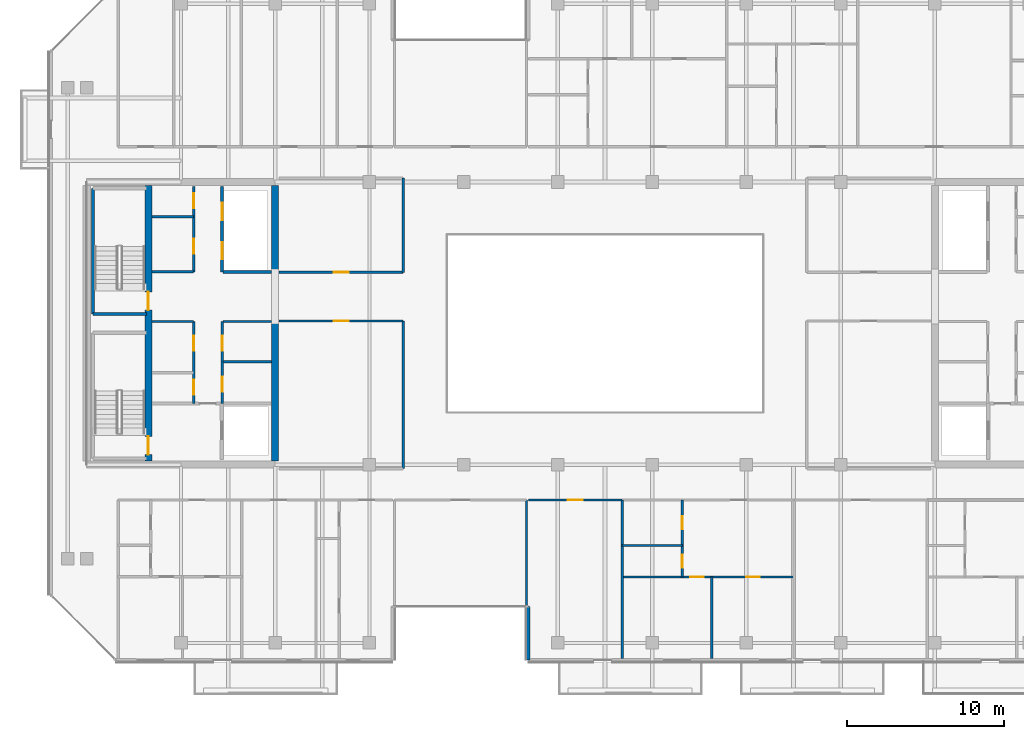
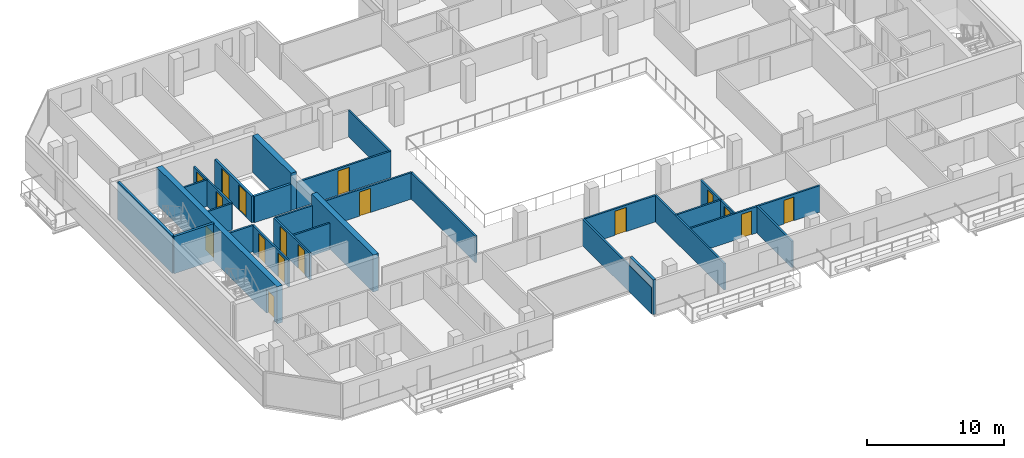
# One storey, part 19 of 29: 27 walls, 17 doors, 17 openings.
"""IFC4 building model written with IfcOpenShell, lengths in metres."""

from ifc_helpers import new_model, si_unit, direction, frame, frame_2d, origin, place, context, subcontext, project, spatial, rectangle, extrude, material, layer, layer_set, type_object, element, fill, save


model = new_model("IFC4")

# Units and contexts
model_context = context("Model", 3, precision=1e-05, world=origin(), true_north=direction((0.0, 1.0)))
body_context = subcontext(model_context, "Body", "Model", "MODEL_VIEW")
ifc_project = project(units=[si_unit("LENGTHUNIT", "METRE"), si_unit("AREAUNIT", "SQUARE_METRE"), si_unit("VOLUMEUNIT", "CUBIC_METRE"), si_unit("PLANEANGLEUNIT", "RADIAN"), si_unit("MASSUNIT", "GRAM", prefix="KILO")], contexts=[model_context])

# Site, building, storey
site_placement = place(None, origin())
site = spatial("IfcSite", under=ifc_project, at=site_placement, CompositionType="ELEMENT")
building_placement = place(site_placement, origin())
building = spatial("IfcBuilding", under=site, at=building_placement, Name="Tanjung Sevakor Pilgrim Tower", CompositionType="ELEMENT")
storey_placement = place(building_placement, frame((0.0, 0.0, 188.429931640625)))
storey = spatial("IfcBuildingStorey", under=building, at=storey_placement, Name="L52", CompositionType="ELEMENT", Elevation=188.429931640625)

# Walls
ifc_material_1 = material(Name="Concrete C60/75", Category="concrete")
ifc_layer_1 = layer(ifc_material_1, 0.449951171875)
ifc_layer_set_1 = layer_set([ifc_layer_1], Name="WALL-CW-450")
wall_type_1 = type_object("IfcWallType", Name="WALL-CW-450", PredefinedType="SHEAR", material=ifc_layer_set_1)
wall_1_placement = place(storey_placement, frame((36.0, 24.824951171875, 0.0), z_axis=(0.0, 0.0, 1.0), x_axis=(0.0, 1.0, 0.0)))
element("IfcWall", 1, at=wall_1_placement, inside=storey, type_object=wall_type_1, Name="L52 W Core Inner Shear Wall South", PredefinedType="SHEAR", context=body_context, shape_type="SweptSolid", body=[
    extrude(rectangle(XDim=8.97509765625, YDim=0.449951171875, at=frame_2d((4.487548828125, 0.0))), origin(), (0.0, 0.0, 1.0), 3.300048828125),
])
wall_2_placement = place(storey_placement, frame((36.0, 36.800048828125, 0.0), z_axis=(0.0, 0.0, 1.0), x_axis=(0.0, 1.0, 0.0)))
element("IfcWall", 2, at=wall_2_placement, inside=storey, type_object=wall_type_1, Name="L52 W Core Inner Shear Wall North", PredefinedType="SHEAR", context=body_context, shape_type="SweptSolid", body=[
    extrude(rectangle(XDim=5.574951171875, YDim=0.449951171875, at=frame_2d((2.78759765625, 0.0))), origin(), (0.0, 0.0, 1.0), 3.300048828125),
])

# Wall, openings, doors
wall_3_placement = place(storey_placement, frame((27.925048828125, 24.824951171875, 0.0), z_axis=(0.0, 0.0, 1.0), x_axis=(0.0, 1.0, 0.0)))
wall_3 = element("IfcWall", 3, at=wall_3_placement, inside=storey, type_object=wall_type_1, Name="L52 W Core Stair Spine Wall", PredefinedType="SHEAR", context=body_context, shape_type="SweptSolid", body=[
    extrude(rectangle(XDim=17.550048828125, YDim=0.449951171875, at=frame_2d((8.77490234375, 0.0))), origin(), (0.0, 0.0, 1.0), 3.300048828125),
])
opening_1_placement = place(wall_3_placement, frame((0.425048828125, 0.0, 0.0)))
opening_1 = element("IfcOpeningElement", 4, at=opening_1_placement, cuts=wall_3, Name="Opening ID-ST1", PredefinedType="OPENING", context=body_context, shape_type="SweptSolid", body=[
    extrude(rectangle(XDim=1.14990234375, YDim=2.14990234375, at=frame_2d((0.574951171875, 1.074951171875))), frame((0.0, 0.23486328125, 0.0), z_axis=(0.0, -1.0, 0.0), x_axis=(1.0, 0.0, 0.0)), (0.0, 0.0, 1.0), 0.469970703125),
])
opening_2_placement = place(wall_3_placement, frame((9.625, 0.0, 0.0)))
opening_2 = element("IfcOpeningElement", 5, at=opening_2_placement, cuts=wall_3, Name="Opening ID-ST1", PredefinedType="OPENING", context=body_context, shape_type="SweptSolid", body=[
    extrude(rectangle(XDim=1.14990234375, YDim=2.14990234375, at=frame_2d((0.574951171875, 1.074951171875))), frame((0.0, 0.23486328125, 0.0), z_axis=(0.0, -1.0, 0.0), x_axis=(1.0, 0.0, 0.0)), (0.0, 0.0, 1.0), 0.469970703125),
])
ifc_material_2 = material(Name="Fire-Rated Steel S355J2", Category="steel")
door_type_1 = type_object("IfcDoorType", Name="DT-FIRE-1150", OperationType="NOTDEFINED", PredefinedType="DOOR", material=ifc_material_2)
door_1_placement = place(opening_1_placement, origin())
door_1 = element("IfcDoor", 6, at=door_1_placement, inside=storey, type_object=door_type_1, Name="L52 TS-W1 Stair Fire Door", OperationType="SINGLE_SWING_RIGHT", OverallHeight=2.14990234375, OverallWidth=1.14990234375, PredefinedType="DOOR", context=body_context, shape_type="SweptSolid", body=[
    extrude(rectangle(XDim=1.14990234375, YDim=2.14990234375, at=frame_2d((0.574951171875, 1.074951171875))), frame((0.0, 0.02490234375, 0.0), z_axis=(0.0, -1.0, 0.0), x_axis=(1.0, 0.0, 0.0)), (0.0, 0.0, 1.0), 0.050048828125),
])
fill(opening_1, door_1)
door_2_placement = place(opening_2_placement, origin())
door_2 = element("IfcDoor", 7, at=door_2_placement, inside=storey, type_object=door_type_1, Name="L52 TS-W2 Stair Fire Door", OperationType="SINGLE_SWING_LEFT", OverallHeight=2.14990234375, OverallWidth=1.14990234375, PredefinedType="DOOR", context=body_context, shape_type="SweptSolid", body=[
    extrude(rectangle(XDim=1.14990234375, YDim=2.14990234375, at=frame_2d((0.574951171875, 1.074951171875))), frame((0.0, 0.02490234375, 0.0), z_axis=(0.0, -1.0, 0.0), x_axis=(1.0, 0.0, 0.0)), (0.0, 0.0, 1.0), 0.050048828125),
])
fill(opening_2, door_2)

# Wall
ifc_material_3 = material(Name="Concrete C40/50", Category="concrete")
ifc_layer_2 = layer(ifc_material_3, 0.14990234375)
ifc_layer_set_2 = layer_set([ifc_layer_2], Name="WT-COMP-150")
wall_type_2 = type_object("IfcWallType", Name="WT-COMP-150", PredefinedType="SOLIDWALL", material=ifc_layer_set_2)
wall_4_placement = place(storey_placement, frame((28.169921875, 33.719970703125, 0.0), z_axis=(0.0, 0.0, 1.0), x_axis=(1.0, 0.0, 0.0)))
element("IfcWall", 8, at=wall_4_placement, inside=storey, type_object=wall_type_2, Name="L52 Partition IW-L52-004", PredefinedType="SOLIDWALL", context=body_context, shape_type="SweptSolid", body=[
    extrude(rectangle(XDim=2.630126953125, YDim=0.14990234375, at=frame_2d((1.31494140625, 0.0))), origin(), (0.0, 0.0, 1.0), 2.35009765625),
])

# Wall, openings, doors
wall_5_placement = place(storey_placement, frame((30.820068359375, 28.5, 0.0), z_axis=(0.0, 0.0, 1.0), x_axis=(0.0, 1.0, 0.0)))
wall_5 = element("IfcWall", 9, at=wall_5_placement, inside=storey, type_object=wall_type_2, Name="L52 Partition IW-L52-005", PredefinedType="SOLIDWALL", context=body_context, shape_type="SweptSolid", body=[
    extrude(rectangle(XDim=5.219970703125, YDim=0.14990234375, at=frame_2d((2.60986328125, 0.0))), origin(), (0.0, 0.0, 1.0), 2.35009765625),
])
opening_3_placement = place(wall_5_placement, frame((0.550048828125, 0.0, 0.0)))
opening_3 = element("IfcOpeningElement", 10, at=opening_3_placement, cuts=wall_5, Name="Opening ID-FD2", PredefinedType="OPENING", context=body_context, shape_type="SweptSolid", body=[
    extrude(rectangle(XDim=0.949951171875, YDim=2.14990234375, at=frame_2d((0.47509765625, 1.074951171875))), frame((0.0, 0.0849609375, 0.0), z_axis=(0.0, -1.0, 0.0), x_axis=(1.0, 0.0, 0.0)), (0.0, 0.0, 1.0), 0.169921875),
])
opening_4_placement = place(wall_5_placement, frame((3.35009765625, 0.0, 0.0)))
opening_4 = element("IfcOpeningElement", 11, at=opening_4_placement, cuts=wall_5, Name="Opening ID-FD2", PredefinedType="OPENING", context=body_context, shape_type="SweptSolid", body=[
    extrude(rectangle(XDim=0.949951171875, YDim=2.14990234375, at=frame_2d((0.47509765625, 1.074951171875))), frame((0.0, 0.0849609375, 0.0), z_axis=(0.0, -1.0, 0.0), x_axis=(1.0, 0.0, 0.0)), (0.0, 0.0, 1.0), 0.169921875),
])
ifc_material_4 = material(Name="Fire-Rated Timber", Category="wood")
door_type_2 = type_object("IfcDoorType", Name="DT-FIRE-950", OperationType="NOTDEFINED", PredefinedType="DOOR", material=ifc_material_4)
door_3_placement = place(opening_3_placement, origin())
door_3 = element("IfcDoor", 12, at=door_3_placement, inside=storey, type_object=door_type_2, Name="L52 Cleaner Store Door", OperationType="SINGLE_SWING_LEFT", OverallHeight=2.14990234375, OverallWidth=0.949951171875, PredefinedType="DOOR", context=body_context, shape_type="SweptSolid", body=[
    extrude(rectangle(XDim=0.949951171875, YDim=2.14990234375, at=frame_2d((0.47509765625, 1.074951171875))), frame((0.0, 0.02490234375, 0.0), z_axis=(0.0, -1.0, 0.0), x_axis=(1.0, 0.0, 0.0)), (0.0, 0.0, 1.0), 0.050048828125),
])
fill(opening_3, door_3)
door_4_placement = place(opening_4_placement, origin())
door_4 = element("IfcDoor", 13, at=door_4_placement, inside=storey, type_object=door_type_2, Name="L52 Housekeeping Pantry Door", OperationType="SINGLE_SWING_RIGHT", OverallHeight=2.14990234375, OverallWidth=0.949951171875, PredefinedType="DOOR", context=body_context, shape_type="SweptSolid", body=[
    extrude(rectangle(XDim=0.949951171875, YDim=2.14990234375, at=frame_2d((0.47509765625, 1.074951171875))), frame((0.0, 0.02490234375, 0.0), z_axis=(0.0, -1.0, 0.0), x_axis=(1.0, 0.0, 0.0)), (0.0, 0.0, 1.0), 0.050048828125),
])
fill(opening_4, door_4)

# Walls
for number, where, z_axis, x_axis, name in (
    (14, (32.679931640625, 31.14990234375, 0.0), (0.0, 0.0, 1.0), (1.0, 0.0, 0.0), "L52 Partition IW-L52-006"),
    (15, (32.679931640625, 33.719970703125, 0.0), (0.0, 0.0, 1.0), (1.0, 0.0, 0.0), "L52 Partition IW-L52-007"),
):
    element("IfcWall", number, at=place(storey_placement, frame(where, z_axis=z_axis, x_axis=x_axis)), inside=storey, type_object=wall_type_2, Name=name, PredefinedType="SOLIDWALL", context=body_context, shape_type="SweptSolid", body=[
        extrude(rectangle(XDim=3.074951171875, YDim=0.14990234375, at=frame_2d((1.53759765625, 0.0))), origin(), (0.0, 0.0, 1.0), 2.35009765625),
    ])

# Wall, openings, doors
wall_6_placement = place(storey_placement, frame((32.6201171875, 28.5, 0.0), z_axis=(0.0, 0.0, 1.0), x_axis=(0.0, 1.0, 0.0)))
wall_6 = element("IfcWall", 16, at=wall_6_placement, inside=storey, type_object=wall_type_2, Name="L52 Partition IW-L52-008", PredefinedType="SOLIDWALL", context=body_context, shape_type="SweptSolid", body=[
    extrude(rectangle(XDim=5.219970703125, YDim=0.14990234375, at=frame_2d((2.60986328125, 0.0))), origin(), (0.0, 0.0, 1.0), 2.35009765625),
])
opening_5_placement = place(wall_6_placement, frame((0.75, 0.0, 0.0)))
opening_5 = element("IfcOpeningElement", 17, at=opening_5_placement, cuts=wall_6, Name="Opening ID-FD2", PredefinedType="OPENING", context=body_context, shape_type="SweptSolid", body=[
    extrude(rectangle(XDim=0.949951171875, YDim=2.14990234375, at=frame_2d((0.47509765625, 1.074951171875))), frame((0.0, 0.0849609375, 0.0), z_axis=(0.0, -1.0, 0.0), x_axis=(1.0, 0.0, 0.0)), (0.0, 0.0, 1.0), 0.169921875),
])
opening_6_placement = place(wall_6_placement, frame((3.35009765625, 0.0, 0.0)))
opening_6 = element("IfcOpeningElement", 18, at=opening_6_placement, cuts=wall_6, Name="Opening ID-FD2", PredefinedType="OPENING", context=body_context, shape_type="SweptSolid", body=[
    extrude(rectangle(XDim=0.949951171875, YDim=2.14990234375, at=frame_2d((0.47509765625, 1.074951171875))), frame((0.0, 0.0849609375, 0.0), z_axis=(0.0, -1.0, 0.0), x_axis=(1.0, 0.0, 0.0)), (0.0, 0.0, 1.0), 0.169921875),
])
door_5_placement = place(opening_5_placement, origin())
door_5 = element("IfcDoor", 19, at=door_5_placement, inside=storey, type_object=door_type_2, Name="L52 Accessible WC Door", OperationType="SINGLE_SWING_LEFT", OverallHeight=2.14990234375, OverallWidth=0.949951171875, PredefinedType="DOOR", context=body_context, shape_type="SweptSolid", body=[
    extrude(rectangle(XDim=0.949951171875, YDim=2.14990234375, at=frame_2d((0.47509765625, 1.074951171875))), frame((0.0, 0.02490234375, 0.0), z_axis=(0.0, -1.0, 0.0), x_axis=(1.0, 0.0, 0.0)), (0.0, 0.0, 1.0), 0.050048828125),
])
fill(opening_5, door_5)
door_6_placement = place(opening_6_placement, origin())
door_6 = element("IfcDoor", 20, at=door_6_placement, inside=storey, type_object=door_type_2, Name="L52 Core Service Door", OperationType="SINGLE_SWING_RIGHT", OverallHeight=2.14990234375, OverallWidth=0.949951171875, PredefinedType="DOOR", context=body_context, shape_type="SweptSolid", body=[
    extrude(rectangle(XDim=0.949951171875, YDim=2.14990234375, at=frame_2d((0.47509765625, 1.074951171875))), frame((0.0, 0.02490234375, 0.0), z_axis=(0.0, -1.0, 0.0), x_axis=(1.0, 0.0, 0.0)), (0.0, 0.0, 1.0), 0.050048828125),
])
fill(opening_6, door_6)

# Walls
for number, where, z_axis, x_axis, name in (
    (21, (28.169921875, 36.8798828125, 0.0), (0.0, 0.0, 1.0), (1.0, 0.0, 0.0), "L52 Partition IW-L52-009"),
    (22, (28.169921875, 40.389892578125, 0.0), (0.0, 0.0, 1.0), (1.0, 0.0, 0.0), "L52 Partition IW-L52-010"),
):
    element("IfcWall", number, at=place(storey_placement, frame(where, z_axis=z_axis, x_axis=x_axis)), inside=storey, type_object=wall_type_2, Name=name, PredefinedType="SOLIDWALL", context=body_context, shape_type="SweptSolid", body=[
        extrude(rectangle(XDim=2.630126953125, YDim=0.14990234375, at=frame_2d((1.31494140625, 0.0))), origin(), (0.0, 0.0, 1.0), 2.35009765625),
    ])

# Wall, openings, doors
wall_7_placement = place(storey_placement, frame((30.820068359375, 36.8798828125, 0.0), z_axis=(0.0, 0.0, 1.0), x_axis=(0.0, 1.0, 0.0)))
wall_7 = element("IfcWall", 23, at=wall_7_placement, inside=storey, type_object=wall_type_2, Name="L52 Partition IW-L52-011", PredefinedType="SOLIDWALL", context=body_context, shape_type="SweptSolid", body=[
    extrude(rectangle(XDim=5.420166015625, YDim=0.14990234375, at=frame_2d((2.7099609375, 0.0))), origin(), (0.0, 0.0, 1.0), 2.35009765625),
])
opening_7_placement = place(wall_7_placement, frame((1.14990234375, 0.0, 0.0)))
opening_7 = element("IfcOpeningElement", 24, at=opening_7_placement, cuts=wall_7, Name="Opening ID-FD2", PredefinedType="OPENING", context=body_context, shape_type="SweptSolid", body=[
    extrude(rectangle(XDim=0.949951171875, YDim=2.14990234375, at=frame_2d((0.47509765625, 1.074951171875))), frame((0.0, 0.0849609375, 0.0), z_axis=(0.0, -1.0, 0.0), x_axis=(1.0, 0.0, 0.0)), (0.0, 0.0, 1.0), 0.169921875),
])
opening_8_placement = place(wall_7_placement, frame((4.050048828125, 0.0, 0.0)))
opening_8 = element("IfcOpeningElement", 25, at=opening_8_placement, cuts=wall_7, Name="Opening ID-FD2", PredefinedType="OPENING", context=body_context, shape_type="SweptSolid", body=[
    extrude(rectangle(XDim=0.949951171875, YDim=2.14990234375, at=frame_2d((0.47509765625, 1.074951171875))), frame((0.0, 0.0849609375, 0.0), z_axis=(0.0, -1.0, 0.0), x_axis=(1.0, 0.0, 0.0)), (0.0, 0.0, 1.0), 0.169921875),
])
door_7_placement = place(opening_7_placement, origin())
door_7 = element("IfcDoor", 26, at=door_7_placement, inside=storey, type_object=door_type_2, Name="L52 Core Study Room Door", OperationType="SINGLE_SWING_LEFT", OverallHeight=2.14990234375, OverallWidth=0.949951171875, PredefinedType="DOOR", context=body_context, shape_type="SweptSolid", body=[
    extrude(rectangle(XDim=0.949951171875, YDim=2.14990234375, at=frame_2d((0.47509765625, 1.074951171875))), frame((0.0, 0.02490234375, 0.0), z_axis=(0.0, -1.0, 0.0), x_axis=(1.0, 0.0, 0.0)), (0.0, 0.0, 1.0), 0.050048828125),
])
fill(opening_7, door_7)
door_8_placement = place(opening_8_placement, origin())
door_8 = element("IfcDoor", 27, at=door_8_placement, inside=storey, type_object=door_type_2, Name="L52 Service Store Door", OperationType="SINGLE_SWING_RIGHT", OverallHeight=2.14990234375, OverallWidth=0.949951171875, PredefinedType="DOOR", context=body_context, shape_type="SweptSolid", body=[
    extrude(rectangle(XDim=0.949951171875, YDim=2.14990234375, at=frame_2d((0.47509765625, 1.074951171875))), frame((0.0, 0.02490234375, 0.0), z_axis=(0.0, -1.0, 0.0), x_axis=(1.0, 0.0, 0.0)), (0.0, 0.0, 1.0), 0.050048828125),
])
fill(opening_8, door_8)

# Wall, opening, door
wall_8_placement = place(storey_placement, frame((36.2451171875, 33.75, 0.0), z_axis=(0.0, 0.0, 1.0), x_axis=(1.0, 0.0, 0.0)))
wall_8 = element("IfcWall", 28, at=wall_8_placement, inside=storey, type_object=wall_type_2, Name="L52 Partition IW-L52-028", PredefinedType="SOLIDWALL", context=body_context, shape_type="SweptSolid", body=[
    extrude(rectangle(XDim=7.90478515625, YDim=0.14990234375, at=frame_2d((3.952392578125, 0.0))), origin(), (0.0, 0.0, 1.0), 2.35009765625),
])
opening_9_placement = place(wall_8_placement, frame((3.4775390625, 0.0, 0.0)))
opening_9 = element("IfcOpeningElement", 29, at=opening_9_placement, cuts=wall_8, Name="Opening ID-RM1", PredefinedType="OPENING", context=body_context, shape_type="SweptSolid", body=[
    extrude(rectangle(XDim=0.949951171875, YDim=2.14990234375, at=frame_2d((0.47509765625, 1.074951171875))), frame((0.0, 0.0849609375, 0.0), z_axis=(0.0, -1.0, 0.0), x_axis=(1.0, 0.0, 0.0)), (0.0, 0.0, 1.0), 0.169921875),
])
ifc_material_5 = material(Name="Hardwood Timber", Category="wood")
door_type_3 = type_object("IfcDoorType", Name="DT-INT-950", OperationType="NOTDEFINED", PredefinedType="DOOR", material=ifc_material_5)
door_9_placement = place(opening_9_placement, origin())
door_9 = element("IfcDoor", 30, at=door_9_placement, inside=storey, type_object=door_type_3, Name="L52 West Inboard South Door", OperationType="SINGLE_SWING_LEFT", OverallHeight=2.14990234375, OverallWidth=0.949951171875, PredefinedType="DOOR", context=body_context, shape_type="SweptSolid", body=[
    extrude(rectangle(XDim=0.949951171875, YDim=2.14990234375, at=frame_2d((0.47509765625, 1.074951171875))), frame((0.0, 0.02490234375, 0.0), z_axis=(0.0, -1.0, 0.0), x_axis=(1.0, 0.0, 0.0)), (0.0, 0.0, 1.0), 0.050048828125),
])
fill(opening_9, door_9)

# Wall
wall_9_placement = place(storey_placement, frame((44.14990234375, 24.35009765625, 0.0), z_axis=(0.0, 0.0, 1.0), x_axis=(0.0, 1.0, 0.0)))
element("IfcWall", 31, at=wall_9_placement, inside=storey, type_object=wall_type_2, Name="L52 Partition IW-L52-029", PredefinedType="SOLIDWALL", context=body_context, shape_type="SweptSolid", body=[
    extrude(rectangle(XDim=9.39990234375, YDim=0.14990234375, at=frame_2d((4.699951171875, 0.0))), origin(), (0.0, 0.0, 1.0), 2.35009765625),
])

# Wall, opening, door
wall_10_placement = place(storey_placement, frame((36.2451171875, 36.85009765625, 0.0), z_axis=(0.0, 0.0, 1.0), x_axis=(1.0, 0.0, 0.0)))
wall_10 = element("IfcWall", 32, at=wall_10_placement, inside=storey, type_object=wall_type_2, Name="L52 Partition IW-L52-030", PredefinedType="SOLIDWALL", context=body_context, shape_type="SweptSolid", body=[
    extrude(rectangle(XDim=7.90478515625, YDim=0.14990234375, at=frame_2d((3.952392578125, 0.0))), origin(), (0.0, 0.0, 1.0), 2.35009765625),
])
opening_10_placement = place(wall_10_placement, frame((3.4775390625, 0.0, 0.0)))
opening_10 = element("IfcOpeningElement", 33, at=opening_10_placement, cuts=wall_10, Name="Opening ID-RM1", PredefinedType="OPENING", context=body_context, shape_type="SweptSolid", body=[
    extrude(rectangle(XDim=0.949951171875, YDim=2.14990234375, at=frame_2d((0.47509765625, 1.074951171875))), frame((0.0, 0.0849609375, 0.0), z_axis=(0.0, -1.0, 0.0), x_axis=(1.0, 0.0, 0.0)), (0.0, 0.0, 1.0), 0.169921875),
])
door_10_placement = place(opening_10_placement, origin())
door_10 = element("IfcDoor", 34, at=door_10_placement, inside=storey, type_object=door_type_3, Name="L52 West Inboard North Door", OperationType="SINGLE_SWING_RIGHT", OverallHeight=2.14990234375, OverallWidth=0.949951171875, PredefinedType="DOOR", context=body_context, shape_type="SweptSolid", body=[
    extrude(rectangle(XDim=0.949951171875, YDim=2.14990234375, at=frame_2d((0.47509765625, 1.074951171875))), frame((0.0, 0.02490234375, 0.0), z_axis=(0.0, -1.0, 0.0), x_axis=(1.0, 0.0, 0.0)), (0.0, 0.0, 1.0), 0.050048828125),
])
fill(opening_10, door_10)

# Walls
wall_11_placement = place(storey_placement, frame((44.14990234375, 36.85009765625, 0.0), z_axis=(0.0, 0.0, 1.0), x_axis=(0.0, 1.0, 0.0)))
element("IfcWall", 35, at=wall_11_placement, inside=storey, type_object=wall_type_2, Name="L52 Partition IW-L52-032", PredefinedType="SOLIDWALL", context=body_context, shape_type="SweptSolid", body=[
    extrude(rectangle(XDim=6.0, YDim=0.14990234375, at=frame_2d((3.0, 0.0))), origin(), (0.0, 0.0, 1.0), 2.35009765625),
])
for number, where, z_axis, x_axis, name in (
    (36, (52.0, 12.27001953125, 0.0), (0.0, 0.0, 1.0), (0.0, 1.0, 0.0), "L52 Partition IW-L52-041"),
    (37, (58.096435546875, 12.27001953125, 0.0), (0.0, 0.0, 1.0), (0.0, 1.0, 0.0), "L52 Partition IW-L52-058"),
):
    element("IfcWall", number, at=place(storey_placement, frame(where, z_axis=z_axis, x_axis=x_axis)), inside=storey, type_object=wall_type_2, Name=name, PredefinedType="SOLIDWALL", context=body_context, shape_type="SweptSolid", body=[
        extrude(rectangle(XDim=10.080078125, YDim=0.14990234375, at=frame_2d((5.0400390625, 0.0))), origin(), (0.0, 0.0, 1.0), 2.35009765625),
    ])

# Wall, opening, door
wall_12_placement = place(storey_placement, frame((52.1201171875, 22.35009765625, 0.0), z_axis=(0.0, 0.0, 1.0), x_axis=(1.0, 0.0, 0.0)))
wall_12 = element("IfcWall", 38, at=wall_12_placement, inside=storey, type_object=wall_type_2, Name="L52 Partition IW-L52-059", PredefinedType="SOLIDWALL", context=body_context, shape_type="SweptSolid", body=[
    extrude(rectangle(XDim=5.976318359375, YDim=0.14990234375, at=frame_2d((2.98828125, 0.0))), origin(), (0.0, 0.0, 1.0), 2.35009765625),
])
opening_11_placement = place(wall_12_placement, frame((2.51318359375, 0.0, 0.0)))
opening_11 = element("IfcOpeningElement", 39, at=opening_11_placement, cuts=wall_12, Name="Opening ID-FD2", PredefinedType="OPENING", context=body_context, shape_type="SweptSolid", body=[
    extrude(rectangle(XDim=0.949951171875, YDim=2.14990234375, at=frame_2d((0.47509765625, 1.074951171875))), frame((0.0, 0.0849609375, 0.0), z_axis=(0.0, -1.0, 0.0), x_axis=(1.0, 0.0, 0.0)), (0.0, 0.0, 1.0), 0.169921875),
])
door_11_placement = place(opening_11_placement, origin())
door_11 = element("IfcDoor", 40, at=door_11_placement, inside=storey, type_object=door_type_2, Name="Housekeeping Pantry Door", OperationType="SINGLE_SWING_RIGHT", OverallHeight=2.14990234375, OverallWidth=0.949951171875, PredefinedType="DOOR", context=body_context, shape_type="SweptSolid", body=[
    extrude(rectangle(XDim=0.949951171875, YDim=2.14990234375, at=frame_2d((0.47509765625, 1.074951171875))), frame((0.0, 0.02490234375, 0.0), z_axis=(0.0, -1.0, 0.0), x_axis=(1.0, 0.0, 0.0)), (0.0, 0.0, 1.0), 0.050048828125),
])
fill(opening_11, door_11)

# Walls
ifc_material_6 = material(Name="Precast concrete C45/55", Category="concrete")
ifc_layer_3 = layer(ifc_material_6, 0.219970703125)
ifc_layer_set_3 = layer_set([ifc_layer_3], Name="WT-EW-STN4")
wall_type_3 = type_object("IfcWallType", Name="WT-EW-STN4", PredefinedType="SOLIDWALL", material=ifc_layer_set_3)
wall_13_placement = place(storey_placement, frame((52.110107421875, 15.56005859375, 0.0), z_axis=(0.0, 0.0, 1.0), x_axis=(0.0, -1.0, 0.0)))
element("IfcWall", 41, at=wall_13_placement, inside=storey, type_object=wall_type_3, Name="L52 MAIN Exterior Wall 4", PredefinedType="SOLIDWALL", context=body_context, shape_type="SweptSolid", body=[
    extrude(rectangle(XDim=3.400146484375, YDim=0.219970703125, at=frame_2d((1.7001953125, 0.0))), origin(), (0.0, 0.0, 1.0), 3.080078125),
])
ifc_material_7 = material(Name="Concrete C40/50", Category="concrete")
ifc_layer_4 = layer(ifc_material_7, 0.199951171875)
ifc_layer_set_4 = layer_set([ifc_layer_4], Name="WT-FIRE-200")
wall_type_4 = type_object("IfcWallType", Name="WT-FIRE-200", PredefinedType="SOLIDWALL", material=ifc_layer_set_4)
wall_14_placement = place(storey_placement, frame((24.39990234375, 34.199951171875, 0.0), z_axis=(0.0, 0.0, 1.0), x_axis=(1.0, 0.0, 0.0)))
element("IfcWall", 42, at=wall_14_placement, inside=storey, type_object=wall_type_4, Name="L52 TS-W2 Shaft Wall 1", PredefinedType="SOLIDWALL", context=body_context, shape_type="SweptSolid", body=[
    extrude(rectangle(XDim=3.400146484375, YDim=0.199951171875, at=frame_2d((1.7001953125, 0.0))), origin(), (0.0, 0.0, 1.0), 3.300048828125),
])
wall_15_placement = place(storey_placement, frame((24.39990234375, 42.199951171875, 0.0), z_axis=(0.0, 0.0, 1.0), x_axis=(0.0, -1.0, 0.0)))
element("IfcWall", 43, at=wall_15_placement, inside=storey, type_object=wall_type_4, Name="L52 TS-W2 Shaft Wall 3", PredefinedType="SOLIDWALL", context=body_context, shape_type="SweptSolid", body=[
    extrude(rectangle(XDim=8.0, YDim=0.199951171875, at=frame_2d((4.0, 0.0))), origin(), (0.0, 0.0, 1.0), 3.300048828125),
])
ifc_material_8 = material(Name="Concrete C40/50", Category="concrete")
ifc_layer_5 = layer(ifc_material_8, 0.199951171875)
ifc_layer_set_5 = layer_set([ifc_layer_5], Name="WT-FPRT-200")
wall_type_5 = type_object("IfcWallType", Name="WT-FPRT-200", PredefinedType="SOLIDWALL", material=ifc_layer_set_5)
wall_16_placement = place(storey_placement, frame((32.679931640625, 36.8798828125, 0.0), z_axis=(0.0, 0.0, 1.0), x_axis=(1.0, 0.0, 0.0)))
element("IfcWall", 44, at=wall_16_placement, inside=storey, type_object=wall_type_5, Name="L52 Partition IW-L52-012", PredefinedType="SOLIDWALL", context=body_context, shape_type="SweptSolid", body=[
    extrude(rectangle(XDim=3.074951171875, YDim=0.199951171875, at=frame_2d((1.53759765625, 0.0))), origin(), (0.0, 0.0, 1.0), 2.35009765625),
])

# Wall, openings, doors
wall_17_placement = place(storey_placement, frame((32.6201171875, 36.8798828125, 0.0), z_axis=(0.0, 0.0, 1.0), x_axis=(0.0, 1.0, 0.0)))
wall_17 = element("IfcWall", 45, at=wall_17_placement, inside=storey, type_object=wall_type_5, Name="L52 Partition IW-L52-013", PredefinedType="SOLIDWALL", context=body_context, shape_type="SweptSolid", body=[
    extrude(rectangle(XDim=5.420166015625, YDim=0.199951171875, at=frame_2d((2.7099609375, 0.0))), origin(), (0.0, 0.0, 1.0), 2.35009765625),
])
opening_12_placement = place(wall_17_placement, frame((0.800048828125, 0.0, 0.0)))
opening_12 = element("IfcOpeningElement", 46, at=opening_12_placement, cuts=wall_17, Name="Opening LD-1100", PredefinedType="OPENING", context=body_context, shape_type="SweptSolid", body=[
    extrude(rectangle(XDim=1.10009765625, YDim=2.199951171875, at=frame_2d((0.550048828125, 1.10009765625))), frame((0.0, 0.10986328125, 0.0), z_axis=(0.0, -1.0, 0.0), x_axis=(1.0, 0.0, 0.0)), (0.0, 0.0, 1.0), 0.219970703125),
])
opening_13_placement = place(wall_17_placement, frame((3.300048828125, 0.0, 0.0)))
opening_13 = element("IfcOpeningElement", 47, at=opening_13_placement, cuts=wall_17, Name="Opening LD-1100", PredefinedType="OPENING", context=body_context, shape_type="SweptSolid", body=[
    extrude(rectangle(XDim=1.10009765625, YDim=2.199951171875, at=frame_2d((0.550048828125, 1.10009765625))), frame((0.0, 0.10986328125, 0.0), z_axis=(0.0, -1.0, 0.0), x_axis=(1.0, 0.0, 0.0)), (0.0, 0.0, 1.0), 0.219970703125),
])
ifc_material_9 = material(Name="Brushed Stainless Steel S355J2", Category="steel")
door_type_4 = type_object("IfcDoorType", Name="DT-LIFT-1100", OperationType="SLIDING_TO_LEFT", PredefinedType="DOOR", material=ifc_material_9)
door_12_placement = place(opening_12_placement, origin())
door_12 = element("IfcDoor", 48, at=door_12_placement, inside=storey, type_object=door_type_4, Name="LD-PLH1-W", OperationType="SLIDING_TO_LEFT", OverallHeight=2.199951171875, OverallWidth=1.10009765625, PredefinedType="DOOR", context=body_context, shape_type="SweptSolid", body=[
    extrude(rectangle(XDim=1.10009765625, YDim=2.199951171875, at=frame_2d((0.550048828125, 1.10009765625))), frame((0.0, 0.02490234375, 0.0), z_axis=(0.0, -1.0, 0.0), x_axis=(1.0, 0.0, 0.0)), (0.0, 0.0, 1.0), 0.050048828125),
])
fill(opening_12, door_12)
door_13_placement = place(opening_13_placement, origin())
door_13 = element("IfcDoor", 49, at=door_13_placement, inside=storey, type_object=door_type_4, Name="LD-PLH2-W", OperationType="SLIDING_TO_RIGHT", OverallHeight=2.199951171875, OverallWidth=1.10009765625, PredefinedType="DOOR", context=body_context, shape_type="SweptSolid", body=[
    extrude(rectangle(XDim=1.10009765625, YDim=2.199951171875, at=frame_2d((0.550048828125, 1.10009765625))), frame((0.0, 0.02490234375, 0.0), z_axis=(0.0, -1.0, 0.0), x_axis=(1.0, 0.0, 0.0)), (0.0, 0.0, 1.0), 0.050048828125),
])
fill(opening_13, door_13)

# Wall
ifc_material_10 = material(Name="Gypsum Board Partition", Category="gypsum board")
ifc_layer_6 = layer(ifc_material_10, 0.14990234375)
ifc_layer_set_6 = layer_set([ifc_layer_6], Name="WT-PART-150")
wall_type_6 = type_object("IfcWallType", Name="WT-PART-150", PredefinedType="PARTITIONING", material=ifc_layer_set_6)
wall_18_placement = place(storey_placement, frame((58.096435546875, 19.45751953125, 0.0), z_axis=(0.0, 0.0, 1.0), x_axis=(1.0, 0.0, 0.0)))
element("IfcWall", 50, at=wall_18_placement, inside=storey, type_object=wall_type_6, Name="L52 Partition IW-L52-061", PredefinedType="PARTITIONING", context=body_context, shape_type="SweptSolid", body=[
    extrude(rectangle(XDim=3.823486328125, YDim=0.14990234375, at=frame_2d((1.91162109375, 0.0))), origin(), (0.0, 0.0, 1.0), 2.35009765625),
])

# Wall, openings, doors
wall_19_placement = place(storey_placement, frame((61.919921875, 17.44775390625, 0.0), z_axis=(0.0, 0.0, 1.0), x_axis=(0.0, 1.0, 0.0)))
wall_19 = element("IfcWall", 51, at=wall_19_placement, inside=storey, type_object=wall_type_6, Name="L52 Partition IW-L52-062", PredefinedType="PARTITIONING", context=body_context, shape_type="SweptSolid", body=[
    extrude(rectangle(XDim=4.90234375, YDim=0.14990234375, at=frame_2d((2.451171875, 0.0))), origin(), (0.0, 0.0, 1.0), 2.35009765625),
])
opening_14_placement = place(wall_19_placement, frame((0.579833984375, 0.0, 0.0)))
opening_14 = element("IfcOpeningElement", 52, at=opening_14_placement, cuts=wall_19, Name="Opening ID-WC1", PredefinedType="OPENING", context=body_context, shape_type="SweptSolid", body=[
    extrude(rectangle(XDim=0.85009765625, YDim=2.10009765625, at=frame_2d((0.425048828125, 1.050048828125))), frame((0.0, 0.0849609375, 0.0), z_axis=(0.0, -1.0, 0.0), x_axis=(1.0, 0.0, 0.0)), (0.0, 0.0, 1.0), 0.169921875),
])
opening_15_placement = place(wall_19_placement, frame((3.031005859375, 0.0, 0.0)))
opening_15 = element("IfcOpeningElement", 53, at=opening_15_placement, cuts=wall_19, Name="Opening ID-WC1", PredefinedType="OPENING", context=body_context, shape_type="SweptSolid", body=[
    extrude(rectangle(XDim=0.85009765625, YDim=2.10009765625, at=frame_2d((0.425048828125, 1.050048828125))), frame((0.0, 0.0849609375, 0.0), z_axis=(0.0, -1.0, 0.0), x_axis=(1.0, 0.0, 0.0)), (0.0, 0.0, 1.0), 0.169921875),
])
ifc_material_11 = material(Name="Moisture-Resistant Timber", Category="wood")
door_type_5 = type_object("IfcDoorType", Name="DT-INT-850", OperationType="NOTDEFINED", PredefinedType="DOOR", material=ifc_material_11)
door_14_placement = place(opening_14_placement, origin())
door_14 = element("IfcDoor", 54, at=door_14_placement, inside=storey, type_object=door_type_5, Name="Suite Bathroom Door", OperationType="SINGLE_SWING_LEFT", OverallHeight=2.10009765625, OverallWidth=0.85009765625, PredefinedType="DOOR", context=body_context, shape_type="SweptSolid", body=[
    extrude(rectangle(XDim=0.85009765625, YDim=2.10009765625, at=frame_2d((0.425048828125, 1.050048828125))), frame((0.0, 0.02490234375, 0.0), z_axis=(0.0, -1.0, 0.0), x_axis=(1.0, 0.0, 0.0)), (0.0, 0.0, 1.0), 0.050048828125),
])
fill(opening_14, door_14)
door_15_placement = place(opening_15_placement, origin())
door_15 = element("IfcDoor", 55, at=door_15_placement, inside=storey, type_object=door_type_5, Name="Suite Kitchenette Door", OperationType="SINGLE_SWING_RIGHT", OverallHeight=2.10009765625, OverallWidth=0.85009765625, PredefinedType="DOOR", context=body_context, shape_type="SweptSolid", body=[
    extrude(rectangle(XDim=0.85009765625, YDim=2.10009765625, at=frame_2d((0.425048828125, 1.050048828125))), frame((0.0, 0.02490234375, 0.0), z_axis=(0.0, -1.0, 0.0), x_axis=(1.0, 0.0, 0.0)), (0.0, 0.0, 1.0), 0.050048828125),
])
fill(opening_15, door_15)

# Wall
wall_20_placement = place(storey_placement, frame((63.7939453125, 12.27001953125, 0.0), z_axis=(0.0, 0.0, 1.0), x_axis=(0.0, 1.0, 0.0)))
element("IfcWall", 56, at=wall_20_placement, inside=storey, type_object=wall_type_6, Name="L52 Partition IW-L52-063", PredefinedType="PARTITIONING", context=body_context, shape_type="SweptSolid", body=[
    extrude(rectangle(XDim=5.177734375, YDim=0.14990234375, at=frame_2d((2.5888671875, 0.0))), origin(), (0.0, 0.0, 1.0), 2.35009765625),
])

# Wall, openings, doors
wall_21_placement = place(storey_placement, frame((58.096435546875, 17.44775390625, 0.0), z_axis=(0.0, 0.0, 1.0), x_axis=(1.0, 0.0, 0.0)))
wall_21 = element("IfcWall", 57, at=wall_21_placement, inside=storey, type_object=wall_type_6, Name="L52 Partition IW-L52-064", PredefinedType="PARTITIONING", context=body_context, shape_type="SweptSolid", body=[
    extrude(rectangle(XDim=10.956787109375, YDim=0.14990234375, at=frame_2d((5.478515625, 0.0))), origin(), (0.0, 0.0, 1.0), 2.35009765625),
])
opening_16_placement = place(wall_21_placement, frame((4.33544921875, 0.0, 0.0)))
opening_16 = element("IfcOpeningElement", 58, at=opening_16_placement, cuts=wall_21, Name="Opening ID-WC1", PredefinedType="OPENING", context=body_context, shape_type="SweptSolid", body=[
    extrude(rectangle(XDim=0.85009765625, YDim=2.10009765625, at=frame_2d((0.425048828125, 1.050048828125))), frame((0.0, 0.0849609375, 0.0), z_axis=(0.0, -1.0, 0.0), x_axis=(1.0, 0.0, 0.0)), (0.0, 0.0, 1.0), 0.169921875),
])
opening_17_placement = place(wall_21_placement, frame((7.902099609375, 0.0, 0.0)))
opening_17 = element("IfcOpeningElement", 59, at=opening_17_placement, cuts=wall_21, Name="Opening ID-WC1", PredefinedType="OPENING", context=body_context, shape_type="SweptSolid", body=[
    extrude(rectangle(XDim=0.85009765625, YDim=2.10009765625, at=frame_2d((0.425048828125, 1.050048828125))), frame((0.0, 0.0849609375, 0.0), z_axis=(0.0, -1.0, 0.0), x_axis=(1.0, 0.0, 0.0)), (0.0, 0.0, 1.0), 0.169921875),
])
door_16_placement = place(opening_16_placement, origin())
door_16 = element("IfcDoor", 60, at=door_16_placement, inside=storey, type_object=door_type_5, Name="Suite Bedroom 1 Door", OperationType="SINGLE_SWING_LEFT", OverallHeight=2.10009765625, OverallWidth=0.85009765625, PredefinedType="DOOR", context=body_context, shape_type="SweptSolid", body=[
    extrude(rectangle(XDim=0.85009765625, YDim=2.10009765625, at=frame_2d((0.425048828125, 1.050048828125))), frame((0.0, 0.02490234375, 0.0), z_axis=(0.0, -1.0, 0.0), x_axis=(1.0, 0.0, 0.0)), (0.0, 0.0, 1.0), 0.050048828125),
])
fill(opening_16, door_16)
door_17_placement = place(opening_17_placement, origin())
door_17 = element("IfcDoor", 61, at=door_17_placement, inside=storey, type_object=door_type_5, Name="Suite Bedroom 2 Door", OperationType="SINGLE_SWING_RIGHT", OverallHeight=2.10009765625, OverallWidth=0.85009765625, PredefinedType="DOOR", context=body_context, shape_type="SweptSolid", body=[
    extrude(rectangle(XDim=0.85009765625, YDim=2.10009765625, at=frame_2d((0.425048828125, 1.050048828125))), frame((0.0, 0.02490234375, 0.0), z_axis=(0.0, -1.0, 0.0), x_axis=(1.0, 0.0, 0.0)), (0.0, 0.0, 1.0), 0.050048828125),
])
fill(opening_17, door_17)

save(model, "model.ifc")
